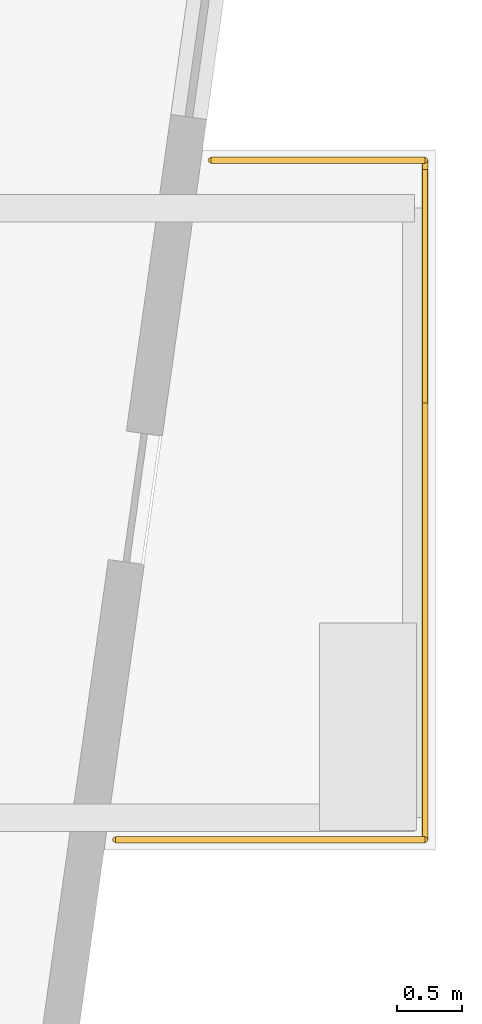
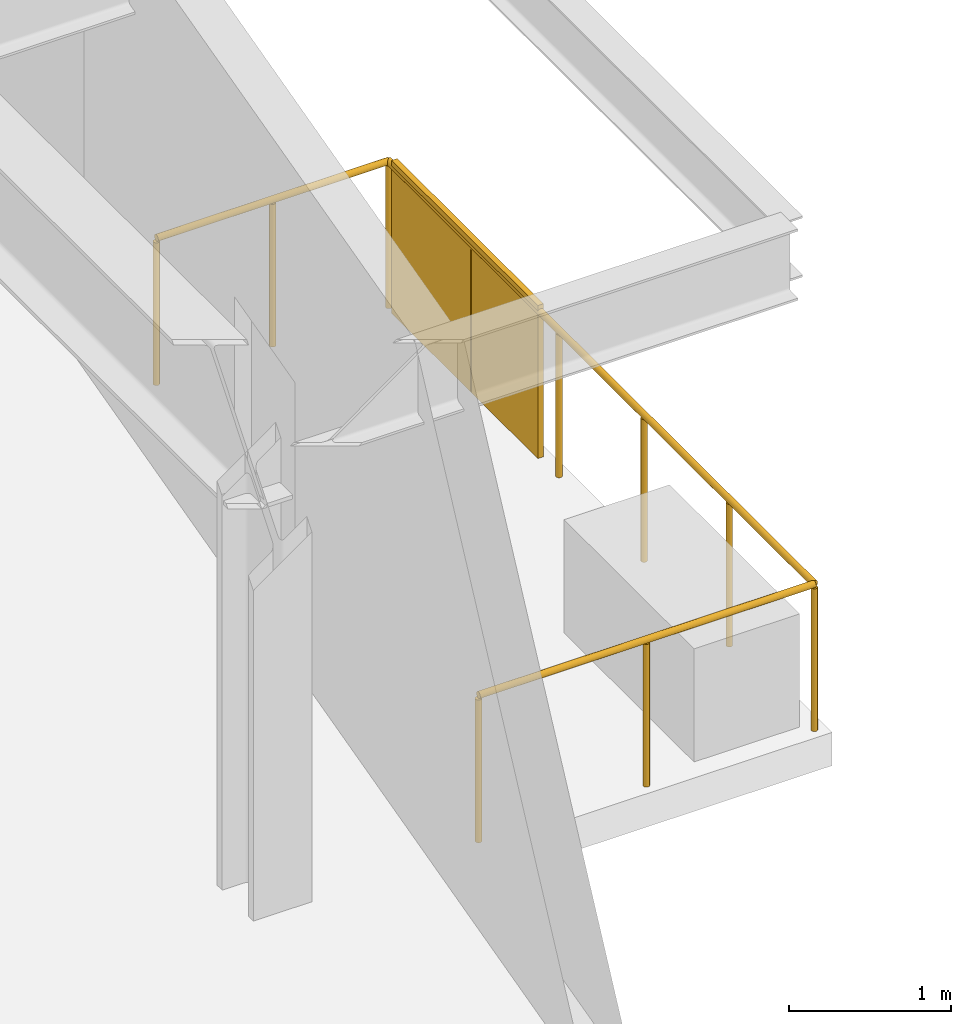
# One storey, part 24 of 26: 3 railings, 1 shading device.
"""IFC4 building model written with IfcOpenShell, lengths in metres."""

from ifc_helpers import new_model, si_unit, direction, frame, origin, origin_2d, place, context, subcontext, project, spatial, rectangle, circle, extrude, material, layer, layer_set, type_object, element, save


model = new_model("IFC4")

# Units and contexts
model_context = context("Model", 3, precision=1e-05, world=origin(), true_north=direction((0.0, 1.0)))
body_context = subcontext(model_context, "Body", "Model", "MODEL_VIEW")
ifc_project = project(units=[si_unit("LENGTHUNIT", "METRE"), si_unit("AREAUNIT", "SQUARE_METRE"), si_unit("VOLUMEUNIT", "CUBIC_METRE"), si_unit("PLANEANGLEUNIT", "RADIAN"), si_unit("MASSUNIT", "GRAM", prefix="KILO")], contexts=[model_context])

# Site, building, storey
site_placement = place(None, origin())
site = spatial("IfcSite", under=ifc_project, at=site_placement, CompositionType="ELEMENT")
building_placement = place(site_placement, origin())
building = spatial("IfcBuilding", under=site, at=building_placement, Name="Kravanh Interchange Tower", CompositionType="ELEMENT")
storey_placement = place(building_placement, frame((0.0, 0.0, 136.0)))
storey = spatial("IfcBuildingStorey", under=building, at=storey_placement, Name="L32", CompositionType="ELEMENT", Elevation=136.0)

# Shading device
ifc_material_1 = material(Name="Perforated Anodised Bronze Aluminium", Category="aluminium")
ifc_layer_1 = layer(ifc_material_1, 0.0400390625)
ifc_layer_set_1 = layer_set([ifc_layer_1], Name="Perforated Bronze Balcony Privacy Screen 1150mm")
shading_device_type = type_object("IfcShadingDeviceType", Name="Perforated Bronze Balcony Privacy Screen 1150mm", PredefinedType="USERDEFINED", material=ifc_layer_set_1)
shading_device_placement = place(storey_placement, frame((69.409912109375, 30.89990234375, 0.0), z_axis=(0.0, 0.0, 1.0), x_axis=(1.0, 0.0, 0.0)))
element("IfcShadingDevice", 1, at=shading_device_placement, inside=storey, type_object=shading_device_type, Name="L32 E Perforated Bronze BALCONY SCREEN", ObjectType="SCREEN", PredefinedType="USERDEFINED", context=body_context, shape_type="SweptSolid", body=[
    extrude(rectangle(XDim=0.0400390625, YDim=1.800048828125, at=origin_2d()), origin(), (0.0, 0.0, 1.0), 1.14990234375),
])

# Railings
ifc_material_2 = material(Name="Stainless Steel 316", Category="steel")
ifc_layer_2 = layer(ifc_material_2, 0.06005859375)
ifc_layer_set_2 = layer_set([ifc_layer_2], Name="Perimeter Balcony and Terrace Guardrail Stainless 316 1120mm")
railing_type = type_object("IfcRailingType", Name="Perimeter Balcony and Terrace Guardrail Stainless 316 1120mm", PredefinedType="GUARDRAIL", material=ifc_layer_set_2)
railing_1_placement = place(storey_placement, frame((69.409912109375, 31.8701171875, 0.0)))
element("IfcRailing", 2, at=railing_1_placement, inside=storey, type_object=railing_type, Name="L32 E Balcony Guardrail 1", PredefinedType="GUARDRAIL", context=body_context, shape_type="SweptSolid", body=[
    extrude(circle(Radius=0.02392578125, at=origin_2d()), frame((0.0, 0.0, 1.09619140625), z_axis=(0.0, -1.0, 0.0), x_axis=(1.0, 0.0, 0.0)), (0.0, 0.0, 1.0), 5.240234375),
    extrude(circle(Radius=0.02099609375, at=origin_2d()), origin(), (0.0, 0.0, 1.0), 1.072021484375),
    extrude(circle(Radius=0.02099609375, at=origin_2d()), frame((0.0, -1.048095703125, 0.0)), (0.0, 0.0, 1.0), 1.072021484375),
    extrude(circle(Radius=0.02099609375, at=origin_2d()), frame((0.0, -2.09619140625, 0.0)), (0.0, 0.0, 1.0), 1.072021484375),
    extrude(circle(Radius=0.02099609375, at=origin_2d()), frame((0.0, -3.14404296875, 0.0)), (0.0, 0.0, 1.0), 1.072021484375),
    extrude(circle(Radius=0.02099609375, at=origin_2d()), frame((0.0, -4.192138671875, 0.0)), (0.0, 0.0, 1.0), 1.072021484375),
    extrude(circle(Radius=0.02099609375, at=origin_2d()), frame((0.0, -5.240234375, 0.0)), (0.0, 0.0, 1.0), 1.072021484375),
])
railing_2_placement = place(storey_placement, frame((69.409912109375, 26.6298828125, 0.0)))
element("IfcRailing", 3, at=railing_2_placement, inside=storey, type_object=railing_type, Name="L32 E Balcony Guardrail 2", PredefinedType="GUARDRAIL", context=body_context, shape_type="SweptSolid", body=[
    extrude(circle(Radius=0.02392578125, at=origin_2d()), frame((0.0, 0.0, 1.09619140625), z_axis=(-1.0, 0.0, 0.0), x_axis=(0.0, -1.0, 0.0)), (0.0, 0.0, 1.0), 2.3876953125),
    extrude(circle(Radius=0.02099609375, at=origin_2d()), origin(), (0.0, 0.0, 1.0), 1.072021484375),
    extrude(circle(Radius=0.02099609375, at=origin_2d()), frame((-1.19384765625, 0.0, 0.0)), (0.0, 0.0, 1.0), 1.072021484375),
    extrude(circle(Radius=0.02099609375, at=origin_2d()), frame((-2.3876953125, 0.0, 0.0)), (0.0, 0.0, 1.0), 1.072021484375),
])
railing_3_placement = place(storey_placement, frame((67.7587890625, 31.8701171875, 0.0)))
element("IfcRailing", 4, at=railing_3_placement, inside=storey, type_object=railing_type, Name="L32 E Balcony Guardrail 3", PredefinedType="GUARDRAIL", context=body_context, shape_type="SweptSolid", body=[
    extrude(circle(Radius=0.02392578125, at=origin_2d()), frame((0.0, 0.0, 1.09619140625), z_axis=(1.0, 0.0, 0.0), x_axis=(0.0, 1.0, 0.0)), (0.0, 0.0, 1.0), 1.651123046875),
    extrude(circle(Radius=0.02099609375, at=origin_2d()), origin(), (0.0, 0.0, 1.0), 1.072021484375),
    extrude(circle(Radius=0.02099609375, at=origin_2d()), frame((0.82568359375, 0.0, 0.0)), (0.0, 0.0, 1.0), 1.072021484375),
    extrude(circle(Radius=0.02099609375, at=origin_2d()), frame((1.651123046875, 0.0, 0.0)), (0.0, 0.0, 1.0), 1.072021484375),
])

save(model, "model.ifc")
